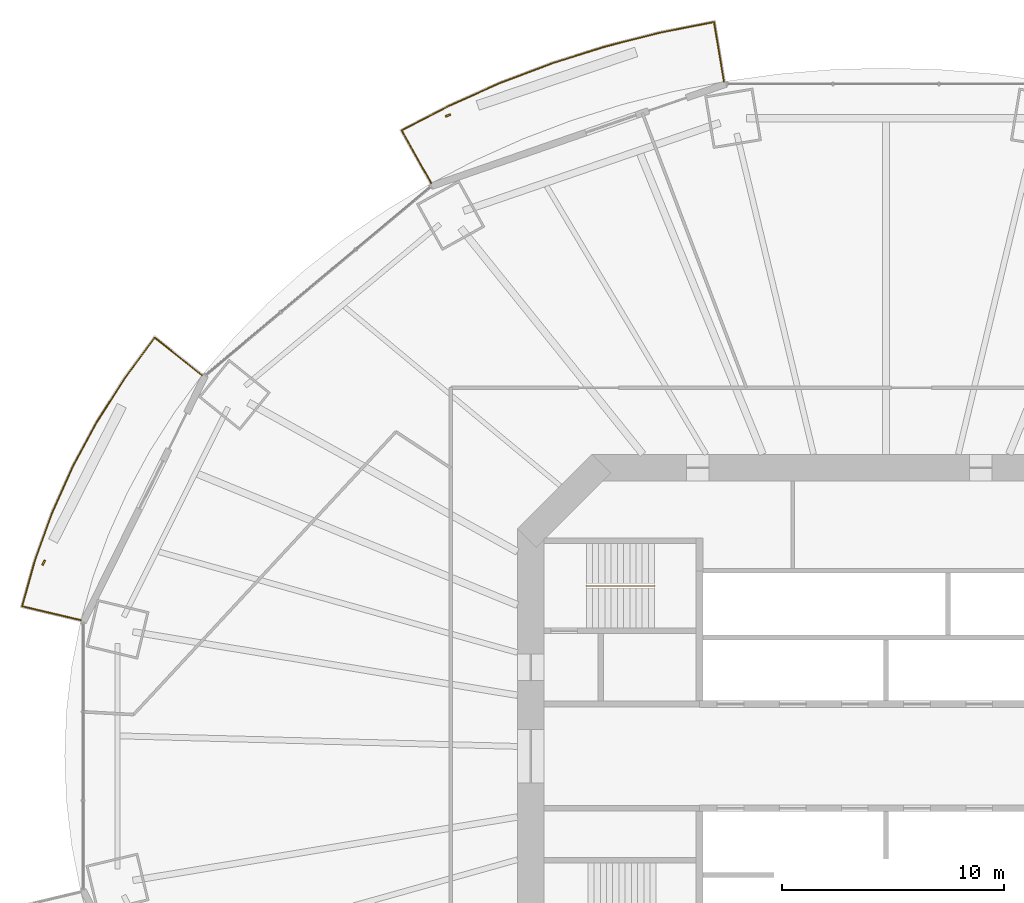
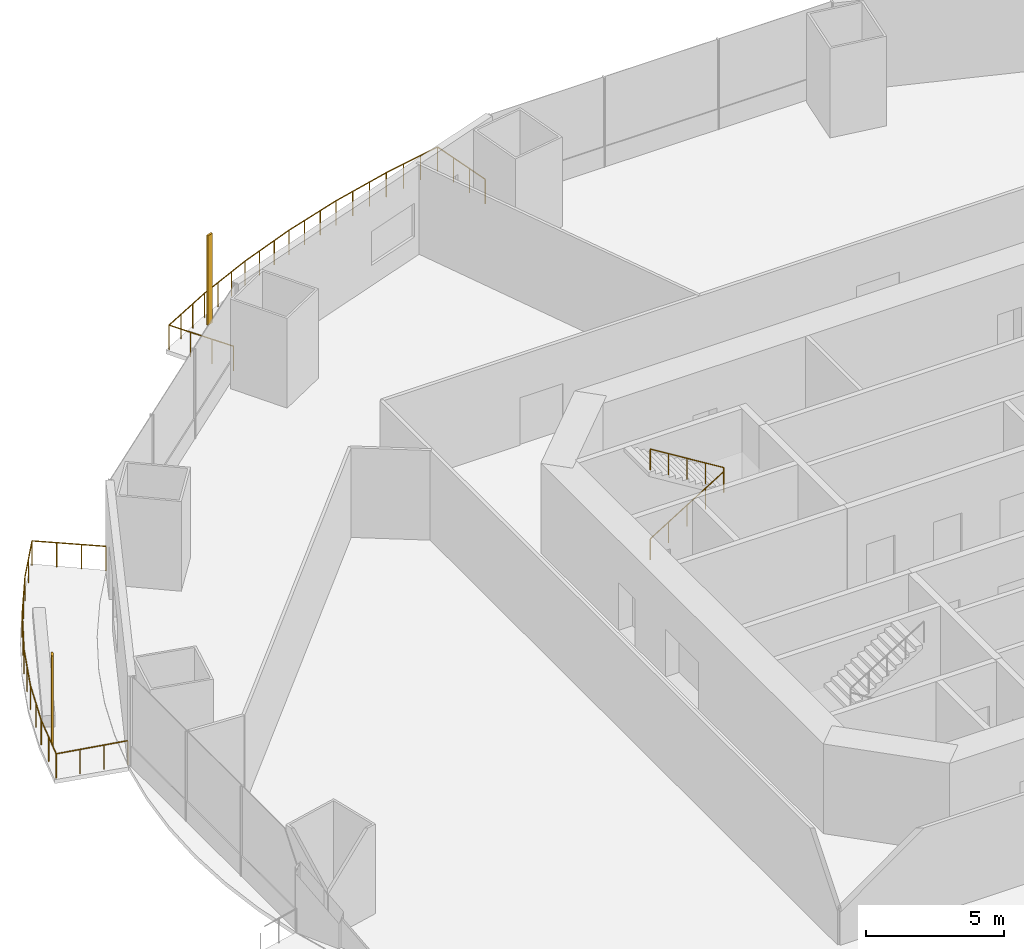
# One storey, part 20 of 23: 3 railings, 2 shading devices.
"""IFC4 building model written with IfcOpenShell, lengths in metres."""

from ifc_helpers import new_model, si_unit, direction, frame, origin, origin_2d, place, context, subcontext, project, spatial, rectangle, circle, extrude, material, material_profile, profile_set, type_object, element, save


model = new_model("IFC4")

# Units and contexts
model_context = context("Model", 3, precision=1e-05, world=origin(), true_north=direction((0.0, 1.0)))
body_context = subcontext(model_context, "Body", "Model", "MODEL_VIEW")
ifc_project = project(units=[si_unit("LENGTHUNIT", "METRE"), si_unit("AREAUNIT", "SQUARE_METRE"), si_unit("VOLUMEUNIT", "CUBIC_METRE"), si_unit("PLANEANGLEUNIT", "RADIAN"), si_unit("MASSUNIT", "GRAM", prefix="KILO")], contexts=[model_context])

# Site, building, storey
site_placement = place(None, origin())
site = spatial("IfcSite", under=ifc_project, at=site_placement, CompositionType="ELEMENT")
building_placement = place(site_placement, origin())
building = spatial("IfcBuilding", under=site, at=building_placement, Name="Marenthal Gate Tower", CompositionType="ELEMENT")
storey_placement = place(building_placement, frame((0.0, 0.0, 37.14990234375)))
storey = spatial("IfcBuildingStorey", under=building, at=storey_placement, Name="L05", CompositionType="ELEMENT", Elevation=37.14990234375)

# Railings
ifc_material_1 = material(Name="Stainless steel", Category="steel")
railing_type_1 = type_object("IfcRailingType", Name="Balcony guard 1100", PredefinedType="GUARDRAIL", material=ifc_material_1)
railing_1_placement = place(storey_placement, frame((-20.486328125, 25.814697265625, 0.0)))
element("IfcRailing", 1, at=railing_1_placement, inside=storey, type_object=railing_type_1, Name="Balcony guard L05 bay 5", PredefinedType="GUARDRAIL", context=body_context, shape_type="SweptSolid", body=[
    extrude(circle(Radius=0.02392578125, at=origin_2d()), frame((0.0, 0.0, 1.076171875), z_axis=(-0.488674059156, 0.872343775022, -0.014628810219), x_axis=(-0.872437131701, -0.488726356184, 0.0)), (0.0, 0.0, 1.0), 2.72021484375),
    extrude(circle(Radius=0.02392578125, at=origin_2d()), frame((-1.329345703125, 2.373046875, 1.0361328125), z_axis=(0.887343289023, 0.461109409387, 0.0), x_axis=(-0.461109409387, 0.887343289023, 0.0)), (0.0, 0.0, 1.0), 2.401123046875),
    extrude(circle(Radius=0.02392578125, at=origin_2d()), frame((0.80126953125, 3.480224609375, 1.0361328125), z_axis=(0.912627469977, 0.4087922468, 0.0), x_axis=(-0.4087922468, 0.912627469977, 0.0)), (0.0, 0.0, 1.0), 2.499267578125),
    extrude(circle(Radius=0.02392578125, at=origin_2d()), frame((3.082275390625, 4.501953125, 1.0361328125), z_axis=(0.934889862007, 0.354937946572, 0.0), x_axis=(-0.354937946572, 0.934889862007, 0.0)), (0.0, 0.0, 1.0), 2.51611328125),
    extrude(circle(Radius=0.02392578125, at=origin_2d()), frame((5.4345703125, 5.39501953125, 1.0361328125), z_axis=(0.953699220219, 0.300762027778, 0.0), x_axis=(-0.300762027778, 0.953699220219, 0.0)), (0.0, 0.0, 1.0), 2.531005859375),
    extrude(circle(Radius=0.02392578125, at=origin_2d()), frame((7.848388671875, 6.15625, 1.0361328125), z_axis=(0.969175134663, 0.246372803593, 0.0), x_axis=(-0.246372803593, 0.969175134663, 0.0)), (0.0, 0.0, 1.0), 2.543701171875),
    extrude(circle(Radius=0.02392578125, at=origin_2d()), frame((10.313720703125, 6.782958984375, 1.0361328125), z_axis=(0.981295113893, 0.192509478854, 0.0), x_axis=(-0.192509478854, 0.981295113893, 0.0)), (0.0, 0.0, 1.0), 2.474365234375),
    extrude(circle(Radius=0.02392578125, at=origin_2d()), frame((12.74169921875, 7.25927734375, 1.0361328125), z_axis=(0.164512379847, -0.986266525987, 0.014629306009), x_axis=(0.986372081632, 0.164529986862, 0.0)), (0.0, 0.0, 1.0), 2.72021484375),
    extrude(circle(Radius=0.02099609375, at=origin_2d()), origin(), (0.0, 0.0, 1.0), 1.052001953125),
    extrude(circle(Radius=0.02099609375, at=origin_2d()), frame((-0.443115234375, 0.791015625, -0.01318359375)), (0.0, 0.0, 1.0), 1.052001953125),
    extrude(circle(Radius=0.02099609375, at=origin_2d()), frame((-0.88623046875, 1.58203125, -0.026611328125)), (0.0, 0.0, 1.0), 1.052001953125),
    extrude(circle(Radius=0.02099609375, at=origin_2d()), frame((-1.329345703125, 2.373046875, -0.039794921875)), (0.0, 0.0, 1.0), 1.052001953125),
    extrude(circle(Radius=0.02099609375, at=origin_2d()), frame((-0.619140625, 2.7421875, -0.039794921875)), (0.0, 0.0, 1.0), 1.052001953125),
    extrude(circle(Radius=0.02099609375, at=origin_2d()), frame((0.091064453125, 3.111083984375, -0.039794921875)), (0.0, 0.0, 1.0), 1.052001953125),
    extrude(circle(Radius=0.02099609375, at=origin_2d()), frame((0.80126953125, 3.480224609375, -0.039794921875)), (0.0, 0.0, 1.0), 1.052001953125),
    extrude(circle(Radius=0.02099609375, at=origin_2d()), frame((1.5615234375, 3.82080078125, -0.039794921875)), (0.0, 0.0, 1.0), 1.052001953125),
    extrude(circle(Radius=0.02099609375, at=origin_2d()), frame((2.322021484375, 4.161376953125, -0.039794921875)), (0.0, 0.0, 1.0), 1.052001953125),
    extrude(circle(Radius=0.02099609375, at=origin_2d()), frame((3.082275390625, 4.501953125, -0.039794921875)), (0.0, 0.0, 1.0), 1.052001953125),
    extrude(circle(Radius=0.02099609375, at=origin_2d()), frame((3.866455078125, 4.799560546875, -0.039794921875)), (0.0, 0.0, 1.0), 1.052001953125),
    extrude(circle(Radius=0.02099609375, at=origin_2d()), frame((4.650390625, 5.097412109375, -0.039794921875)), (0.0, 0.0, 1.0), 1.052001953125),
    extrude(circle(Radius=0.02099609375, at=origin_2d()), frame((5.4345703125, 5.39501953125, -0.039794921875)), (0.0, 0.0, 1.0), 1.052001953125),
    extrude(circle(Radius=0.02099609375, at=origin_2d()), frame((6.2392578125, 5.648681640625, -0.039794921875)), (0.0, 0.0, 1.0), 1.052001953125),
    extrude(circle(Radius=0.02099609375, at=origin_2d()), frame((7.043701171875, 5.902587890625, -0.039794921875)), (0.0, 0.0, 1.0), 1.052001953125),
    extrude(circle(Radius=0.02099609375, at=origin_2d()), frame((7.848388671875, 6.15625, -0.039794921875)), (0.0, 0.0, 1.0), 1.052001953125),
    extrude(circle(Radius=0.02099609375, at=origin_2d()), frame((8.670166015625, 6.365234375, -0.039794921875)), (0.0, 0.0, 1.0), 1.052001953125),
    extrude(circle(Radius=0.02099609375, at=origin_2d()), frame((9.491943359375, 6.573974609375, -0.039794921875)), (0.0, 0.0, 1.0), 1.052001953125),
    extrude(circle(Radius=0.02099609375, at=origin_2d()), frame((10.313720703125, 6.782958984375, -0.039794921875)), (0.0, 0.0, 1.0), 1.052001953125),
    extrude(circle(Radius=0.02099609375, at=origin_2d()), frame((11.123046875, 6.941650390625, -0.039794921875)), (0.0, 0.0, 1.0), 1.052001953125),
    extrude(circle(Radius=0.02099609375, at=origin_2d()), frame((11.932373046875, 7.1005859375, -0.039794921875)), (0.0, 0.0, 1.0), 1.052001953125),
    extrude(circle(Radius=0.02099609375, at=origin_2d()), frame((12.74169921875, 7.25927734375, -0.039794921875)), (0.0, 0.0, 1.0), 1.052001953125),
    extrude(circle(Radius=0.02099609375, at=origin_2d()), frame((12.890869140625, 6.364990234375, -0.026611328125)), (0.0, 0.0, 1.0), 1.052001953125),
    extrude(circle(Radius=0.02099609375, at=origin_2d()), frame((13.0400390625, 5.470703125, -0.01318359375)), (0.0, 0.0, 1.0), 1.052001953125),
    extrude(circle(Radius=0.02099609375, at=origin_2d()), frame((13.189208984375, 4.576416015625, 0.0)), (0.0, 0.0, 1.0), 1.052001953125),
])
railing_2_placement = place(storey_placement, frame((-36.2705078125, 6.125732421875, 0.0)))
element("IfcRailing", 2, at=railing_2_placement, inside=storey, type_object=railing_type_1, Name="Balcony guard L05 bay 7", PredefinedType="GUARDRAIL", context=body_context, shape_type="SweptSolid", body=[
    extrude(circle(Radius=0.02392578125, at=origin_2d()), frame((0.0, 0.0, 1.076171875), z_axis=(-0.972907805034, 0.230730187874, -0.014628168271), x_axis=(-0.230754878041, -0.973011914758, 0.0)), (0.0, 0.0, 1.0), 2.720458984375),
    extrude(circle(Radius=0.02392578125, at=origin_2d()), frame((-2.646728515625, 0.627685546875, 1.0361328125), z_axis=(0.269417915844, 0.963023357257, 0.0), x_axis=(-0.963023357257, 0.269417915844, 0.0)), (0.0, 0.0, 1.0), 2.178466796875),
    extrude(circle(Radius=0.02392578125, at=origin_2d()), frame((-2.059814453125, 2.7255859375, 1.0361328125), z_axis=(0.340490278663, 0.940248036497, 0.0), x_axis=(-0.940248036497, 0.340490278663, 0.0)), (0.0, 0.0, 1.0), 2.269287109375),
    extrude(circle(Radius=0.02392578125, at=origin_2d()), frame((-1.287109375, 4.859375, 1.0361328125), z_axis=(0.40965760042, 0.912239360266, 0.0), x_axis=(-0.912239360266, 0.40965760042, 0.0)), (0.0, 0.0, 1.0), 2.283203125),
    extrude(circle(Radius=0.02392578125, at=origin_2d()), frame((-0.351806640625, 6.942138671875, 1.0361328125), z_axis=(0.47570140033, 0.879606831331, 0.0), x_axis=(-0.879606831331, 0.47570140033, 0.0)), (0.0, 0.0, 1.0), 2.298828125),
    extrude(circle(Radius=0.02392578125, at=origin_2d()), frame((0.74169921875, 8.964111328125, 1.0361328125), z_axis=(0.537802777327, 0.843070680726, 0.0), x_axis=(-0.843070680726, 0.537802777327, 0.0)), (0.0, 0.0, 1.0), 2.316162109375),
    extrude(circle(Radius=0.02392578125, at=origin_2d()), frame((1.9873046875, 10.916748046875, 1.0361328125), z_axis=(0.59494792191, 0.803764250396, 0.0), x_axis=(-0.803764250396, 0.59494792191, 0.0)), (0.0, 0.0, 1.0), 2.25537109375),
    extrude(circle(Radius=0.02392578125, at=origin_2d()), frame((3.3291015625, 12.7294921875, 1.0361328125), z_axis=(0.781983380654, -0.623127580842, 0.014629093429), x_axis=(0.62319426943, 0.782067070365, 0.0)), (0.0, 0.0, 1.0), 2.72021484375),
    extrude(circle(Radius=0.02099609375, at=origin_2d()), origin(), (0.0, 0.0, 1.0), 1.052001953125),
    extrude(circle(Radius=0.02099609375, at=origin_2d()), frame((-0.88232421875, 0.209228515625, -0.01318359375)), (0.0, 0.0, 1.0), 1.052001953125),
    extrude(circle(Radius=0.02099609375, at=origin_2d()), frame((-1.764404296875, 0.41845703125, -0.026611328125)), (0.0, 0.0, 1.0), 1.052001953125),
    extrude(circle(Radius=0.02099609375, at=origin_2d()), frame((-2.646728515625, 0.627685546875, -0.039794921875)), (0.0, 0.0, 1.0), 1.052001953125),
    extrude(circle(Radius=0.02099609375, at=origin_2d()), frame((-2.353271484375, 1.6767578125, -0.039794921875)), (0.0, 0.0, 1.0), 1.052001953125),
    extrude(circle(Radius=0.02099609375, at=origin_2d()), frame((-2.059814453125, 2.7255859375, -0.039794921875)), (0.0, 0.0, 1.0), 1.052001953125),
    extrude(circle(Radius=0.02099609375, at=origin_2d()), frame((-1.67333984375, 3.79248046875, -0.039794921875)), (0.0, 0.0, 1.0), 1.052001953125),
    extrude(circle(Radius=0.02099609375, at=origin_2d()), frame((-1.287109375, 4.859375, -0.039794921875)), (0.0, 0.0, 1.0), 1.052001953125),
    extrude(circle(Radius=0.02099609375, at=origin_2d()), frame((-0.8193359375, 5.90087890625, -0.039794921875)), (0.0, 0.0, 1.0), 1.052001953125),
    extrude(circle(Radius=0.02099609375, at=origin_2d()), frame((-0.351806640625, 6.942138671875, -0.039794921875)), (0.0, 0.0, 1.0), 1.052001953125),
    extrude(circle(Radius=0.02099609375, at=origin_2d()), frame((0.19482421875, 7.953125, -0.039794921875)), (0.0, 0.0, 1.0), 1.052001953125),
    extrude(circle(Radius=0.02099609375, at=origin_2d()), frame((0.74169921875, 8.964111328125, -0.039794921875)), (0.0, 0.0, 1.0), 1.052001953125),
    extrude(circle(Radius=0.02099609375, at=origin_2d()), frame((1.364501953125, 9.9404296875, -0.039794921875)), (0.0, 0.0, 1.0), 1.052001953125),
    extrude(circle(Radius=0.02099609375, at=origin_2d()), frame((1.9873046875, 10.916748046875, -0.039794921875)), (0.0, 0.0, 1.0), 1.052001953125),
    extrude(circle(Radius=0.02099609375, at=origin_2d()), frame((2.658203125, 11.8232421875, -0.039794921875)), (0.0, 0.0, 1.0), 1.052001953125),
    extrude(circle(Radius=0.02099609375, at=origin_2d()), frame((3.3291015625, 12.7294921875, -0.039794921875)), (0.0, 0.0, 1.0), 1.052001953125),
    extrude(circle(Radius=0.02099609375, at=origin_2d()), frame((4.0380859375, 12.16455078125, -0.026611328125)), (0.0, 0.0, 1.0), 1.052001953125),
    extrude(circle(Radius=0.02099609375, at=origin_2d()), frame((4.747314453125, 11.599365234375, -0.01318359375)), (0.0, 0.0, 1.0), 1.052001953125),
    extrude(circle(Radius=0.02099609375, at=origin_2d()), frame((5.456298828125, 11.034423828125, 0.0)), (0.0, 0.0, 1.0), 1.052001953125),
])
ifc_material_2 = material(Name="Stainless steel", Category="steel")
railing_type_2 = type_object("IfcRailingType", Name="Stair handrail", PredefinedType="HANDRAIL", material=ifc_material_2)
railing_3_placement = place(storey_placement, frame((-13.5, 7.675048828125, 0.173095703125)))
element("IfcRailing", 3, at=railing_3_placement, inside=storey, type_object=railing_type_2, Name="Handrail ST1", PredefinedType="HANDRAIL", context=body_context, shape_type="SweptSolid", body=[
    extrude(circle(Radius=0.0224609375, at=origin_2d()), frame((0.0, 0.0, 0.927490234375), z_axis=(0.850835241893, 0.0, 0.525432575268), x_axis=(0.0, 1.0, 0.0)), (0.0, 0.0, 1.0), 3.6201171875),
    extrude(circle(Radius=0.0224609375, at=origin_2d()), frame((3.080078125, 0.0, 2.82958984375), z_axis=(0.0, 0.0, 1.0), x_axis=(1.0, 0.0, 0.0)), (0.0, 0.0, 1.0), 0.1728515625),
    extrude(circle(Radius=0.0224609375, at=origin_2d()), frame((3.080078125, 0.0, 3.00244140625), z_axis=(-0.850835241893, 0.0, 0.525432575268), x_axis=(0.0, -1.0, 0.0)), (0.0, 0.0, 1.0), 3.6201171875),
    extrude(circle(Radius=0.02001953125, at=origin_2d()), origin(), (0.0, 0.0, 1.0), 0.905029296875),
    extrude(circle(Radius=0.02001953125, at=origin_2d()), frame((0.77001953125, 0.0, 0.4755859375)), (0.0, 0.0, 1.0), 0.905029296875),
    extrude(circle(Radius=0.02001953125, at=origin_2d()), frame((1.5400390625, 0.0, 0.951171875)), (0.0, 0.0, 1.0), 0.905029296875),
    extrude(circle(Radius=0.02001953125, at=origin_2d()), frame((2.31005859375, 0.0, 1.426513671875)), (0.0, 0.0, 1.0), 0.905029296875),
    extrude(circle(Radius=0.02001953125, at=origin_2d()), frame((3.080078125, 0.0, 1.902099609375)), (0.0, 0.0, 1.0), 0.905029296875),
    extrude(circle(Radius=0.02001953125, at=origin_2d()), frame((3.080078125, 0.0, 2.074951171875)), (0.0, 0.0, 1.0), 0.905029296875),
    extrude(circle(Radius=0.02001953125, at=origin_2d()), frame((2.31005859375, 0.0, 2.550537109375)), (0.0, 0.0, 1.0), 0.905029296875),
    extrude(circle(Radius=0.02001953125, at=origin_2d()), frame((1.5400390625, 0.0, 3.02587890625)), (0.0, 0.0, 1.0), 0.905029296875),
    extrude(circle(Radius=0.02001953125, at=origin_2d()), frame((0.77001953125, 0.0, 3.50146484375)), (0.0, 0.0, 1.0), 0.905029296875),
    extrude(circle(Radius=0.02001953125, at=origin_2d()), frame((0.0, 0.0, 3.97705078125)), (0.0, 0.0, 1.0), 0.905029296875),
])

# Shading devices
ifc_material_3 = material(Name="Terracotta", Category="masonry")
ifc_material_profile = material_profile(ifc_material_3, rectangle(XDim=0.25, YDim=0.080078125, at=origin_2d()), Name="Terracotta baguette 250x80")
ifc_profile_set = profile_set([ifc_material_profile], Name="Terracotta")
shading_device_type = type_object("IfcShadingDeviceType", Name="Terracotta BAGUETTE SCREEN 250x80", PredefinedType="USERDEFINED", material=ifc_profile_set)
for number, where, z_axis, x_axis, name in (
    (4, (-19.730712890625, 28.861572265625, -0.039794921875), (0.0, 0.0, 1.0), (-0.944708230663, -0.327912120725, 0.0), "Terracotta BAGUETTE L05 bay 5R"),
    (5, (-37.94921875, 8.7177734375, -0.039794921875), (0.0, 0.0, 1.0), (-0.443119622411, -0.896462492374, 0.0), "Terracotta BAGUETTE L05 bay 7R"),
):
    element("IfcShadingDevice", number, at=place(storey_placement, frame(where, z_axis=z_axis, x_axis=x_axis)), inside=storey, type_object=shading_device_type, Name=name, ObjectType="BAGUETTE SCREEN", PredefinedType="USERDEFINED", context=body_context, shape_type="SweptSolid", body=[
        extrude(rectangle(XDim=0.25, YDim=0.080078125, at=origin_2d()), origin(), (0.0, 0.0, 1.0), 3.969970703125),
    ])

save(model, "model.ifc")
